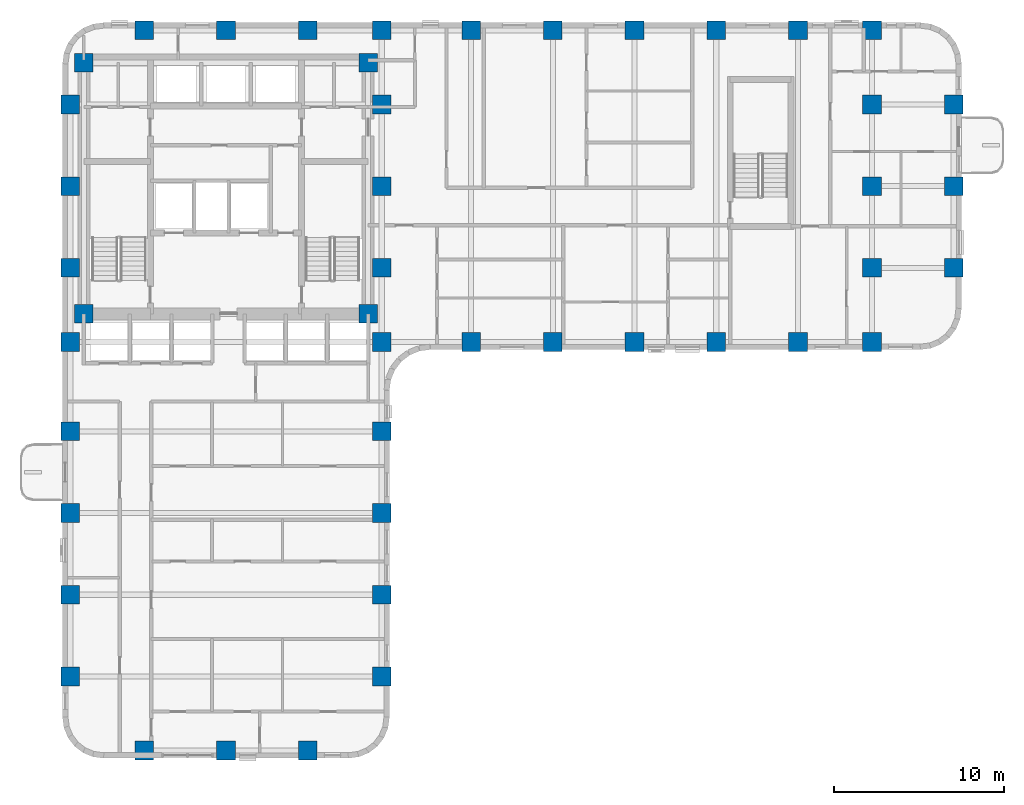
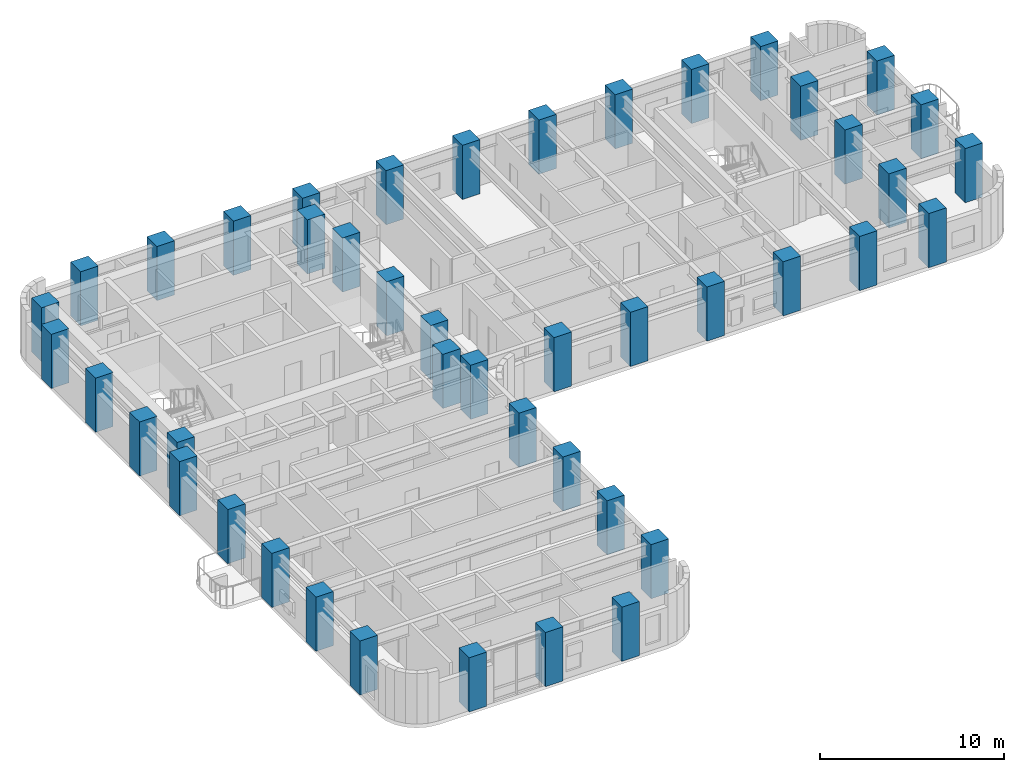
# One storey, part 1 of 12: 45 columns.
"""IFC4 building model written with IfcOpenShell, lengths in metres."""

from ifc_helpers import new_model, si_unit, direction, frame, origin, origin_2d, place, context, subcontext, project, spatial, rectangle, extrude, material, material_profile, profile_set, type_object, element, save


model = new_model("IFC4")

# Units and contexts
model_context = context("Model", 3, precision=1e-05, world=origin(), true_north=direction((0.0, 1.0)))
body_context = subcontext(model_context, "Body", "Model", "MODEL_VIEW")
ifc_project = project(units=[si_unit("LENGTHUNIT", "METRE"), si_unit("AREAUNIT", "SQUARE_METRE"), si_unit("VOLUMEUNIT", "CUBIC_METRE"), si_unit("PLANEANGLEUNIT", "RADIAN"), si_unit("MASSUNIT", "GRAM", prefix="KILO")], contexts=[model_context])

# Site, building, storey
site_placement = place(None, origin())
site = spatial("IfcSite", under=ifc_project, at=site_placement, CompositionType="ELEMENT")
building_placement = place(site_placement, origin())
building = spatial("IfcBuilding", under=site, at=building_placement, Name="Orvandelia Arch Residences", CompositionType="ELEMENT")
storey_placement = place(building_placement, frame((0.0, 0.0, 71.800048828125)))
storey = spatial("IfcBuildingStorey", under=building, at=storey_placement, Name="L18", CompositionType="ELEMENT", Elevation=71.800048828125)

# Columns
ifc_material = material(Name="Concrete C80/95", Category="concrete")
ifc_material_profile = material_profile(ifc_material, rectangle(XDim=1.10009765625, YDim=1.10009765625, at=origin_2d()), Name="Concrete C80/95", Category="concrete")
ifc_profile_set = profile_set([ifc_material_profile], Name="Concrete C80/95")
column_type = type_object("IfcColumnType", Name="COL-TWR-1100", PredefinedType="COLUMN", material=ifc_profile_set)
for number, where, z_axis, x_axis, name in (
    (1, (5.25, 9.60009765625, 0.0), (0.0, 0.0, 1.0), (1.0, 0.0, 0.0), "Structural Column L18-W-W-96"),
    (2, (5.25, 14.39990234375, 0.0), (0.0, 0.0, 1.0), (1.0, 0.0, 0.0), "Structural Column L18-W-W-144"),
    (3, (5.25, 19.199951171875, 0.0), (0.0, 0.0, 1.0), (1.0, 0.0, 0.0), "Structural Column L18-W-W-192"),
    (4, (5.25, 24.0, 0.0), (0.0, 0.0, 1.0), (1.0, 0.0, 0.0), "Structural Column L18-W-W-240"),
    (5, (5.25, 29.25, 0.0), (0.0, 0.0, 1.0), (1.0, 0.0, 0.0), "Structural Column L18-W-W-292"),
    (6, (5.25, 33.60009765625, 0.0), (0.0, 0.0, 1.0), (1.0, 0.0, 0.0), "Structural Column L18-W-W-336"),
    (7, (5.25, 38.39990234375, 0.0), (0.0, 0.0, 1.0), (1.0, 0.0, 0.0), "Structural Column L18-W-W-384"),
    (8, (5.25, 43.199951171875, 0.0), (0.0, 0.0, 1.0), (1.0, 0.0, 0.0), "Structural Column L18-W-W-432"),
    (9, (6.050048828125, 30.89990234375, 0.0), (0.0, 0.0, 1.0), (1.0, 0.0, 0.0), "Structural Column L18-CR-SW"),
    (10, (6.050048828125, 45.64990234375, 0.0), (0.0, 0.0, 1.0), (1.0, 0.0, 0.0), "Structural Column L18-CR-NW"),
    (11, (9.60009765625, 5.25, 0.0), (0.0, 0.0, 1.0), (1.0, 0.0, 0.0), "Structural Column L18-W-S-96"),
    (12, (9.60009765625, 47.550048828125, 0.0), (0.0, 0.0, 1.0), (1.0, 0.0, 0.0), "Structural Column L18-W-N-96"),
    (13, (14.39990234375, 5.25, 0.0), (0.0, 0.0, 1.0), (1.0, 0.0, 0.0), "Structural Column L18-W-S-144"),
    (14, (14.39990234375, 47.550048828125, 0.0), (0.0, 0.0, 1.0), (1.0, 0.0, 0.0), "Structural Column L18-W-N-144"),
    (15, (19.199951171875, 5.25, 0.0), (0.0, 0.0, 1.0), (1.0, 0.0, 0.0), "Structural Column L18-W-S-192"),
    (16, (19.199951171875, 47.550048828125, 0.0), (0.0, 0.0, 1.0), (1.0, 0.0, 0.0), "Structural Column L18-W-N-192"),
    (17, (22.75, 30.89990234375, 0.0), (0.0, 0.0, 1.0), (1.0, 0.0, 0.0), "Structural Column L18-CR-SE"),
    (18, (22.75, 45.64990234375, 0.0), (0.0, 0.0, 1.0), (1.0, 0.0, 0.0), "Structural Column L18-CR-NE"),
    (19, (23.550048828125, 9.60009765625, 0.0), (0.0, 0.0, 1.0), (1.0, 0.0, 0.0), "Structural Column L18-W-E-96"),
    (20, (23.550048828125, 14.39990234375, 0.0), (0.0, 0.0, 1.0), (1.0, 0.0, 0.0), "Structural Column L18-W-E-144"),
    (21, (23.550048828125, 19.199951171875, 0.0), (0.0, 0.0, 1.0), (1.0, 0.0, 0.0), "Structural Column L18-W-E-192"),
    (22, (23.550048828125, 24.0, 0.0), (0.0, 0.0, 1.0), (1.0, 0.0, 0.0), "Structural Column L18-W-E-240"),
    (23, (23.550048828125, 29.25, 0.0), (0.0, 0.0, 1.0), (1.0, 0.0, 0.0), "Structural Column L18-W-E-292"),
    (24, (23.550048828125, 33.60009765625, 0.0), (0.0, 0.0, 1.0), (1.0, 0.0, 0.0), "Structural Column L18-W-E-336"),
    (25, (23.550048828125, 38.39990234375, 0.0), (0.0, 0.0, 1.0), (1.0, 0.0, 0.0), "Structural Column L18-W-E-384"),
    (26, (23.550048828125, 43.199951171875, 0.0), (0.0, 0.0, 1.0), (1.0, 0.0, 0.0), "Structural Column L18-W-E-432"),
    (27, (23.550048828125, 47.550048828125, 0.0), (0.0, 0.0, 1.0), (1.0, 0.0, 0.0), "Structural Column L18-W-N-235"),
    (28, (28.800048828125, 29.25, 0.0), (0.0, 0.0, 1.0), (1.0, 0.0, 0.0), "Structural Column L18-E-S-288"),
    (29, (28.800048828125, 47.550048828125, 0.0), (0.0, 0.0, 1.0), (1.0, 0.0, 0.0), "Structural Column L18-E-N-288"),
    (30, (33.60009765625, 29.25, 0.0), (0.0, 0.0, 1.0), (1.0, 0.0, 0.0), "Structural Column L18-E-S-336"),
    (31, (33.60009765625, 47.550048828125, 0.0), (0.0, 0.0, 1.0), (1.0, 0.0, 0.0), "Structural Column L18-E-N-336"),
    (32, (38.39990234375, 29.25, 0.0), (0.0, 0.0, 1.0), (1.0, 0.0, 0.0), "Structural Column L18-E-S-384"),
    (33, (38.39990234375, 47.550048828125, 0.0), (0.0, 0.0, 1.0), (1.0, 0.0, 0.0), "Structural Column L18-E-N-384"),
    (34, (43.199951171875, 29.25, 0.0), (0.0, 0.0, 1.0), (1.0, 0.0, 0.0), "Structural Column L18-E-S-432"),
    (35, (43.199951171875, 47.550048828125, 0.0), (0.0, 0.0, 1.0), (1.0, 0.0, 0.0), "Structural Column L18-E-N-432"),
    (36, (48.0, 29.25, 0.0), (0.0, 0.0, 1.0), (1.0, 0.0, 0.0), "Structural Column L18-E-S-480"),
    (37, (48.0, 47.550048828125, 0.0), (0.0, 0.0, 1.0), (1.0, 0.0, 0.0), "Structural Column L18-E-N-480"),
    (38, (52.35009765625, 29.25, 0.0), (0.0, 0.0, 1.0), (1.0, 0.0, 0.0), "Structural Column L18-E-S-523"),
    (39, (52.35009765625, 33.60009765625, 0.0), (0.0, 0.0, 1.0), (1.0, 0.0, 0.0), "Structural Column L18-E-523-336"),
    (40, (52.35009765625, 38.39990234375, 0.0), (0.0, 0.0, 1.0), (1.0, 0.0, 0.0), "Structural Column L18-E-523-384"),
    (41, (52.35009765625, 43.199951171875, 0.0), (0.0, 0.0, 1.0), (1.0, 0.0, 0.0), "Structural Column L18-E-523-432"),
    (42, (52.35009765625, 47.550048828125, 0.0), (0.0, 0.0, 1.0), (1.0, 0.0, 0.0), "Structural Column L18-E-N-523"),
    (43, (57.14990234375, 33.60009765625, 0.0), (0.0, 0.0, 1.0), (1.0, 0.0, 0.0), "Structural Column L18-E-571-336"),
    (44, (57.14990234375, 38.39990234375, 0.0), (0.0, 0.0, 1.0), (1.0, 0.0, 0.0), "Structural Column L18-E-571-384"),
    (45, (57.14990234375, 43.199951171875, 0.0), (0.0, 0.0, 1.0), (1.0, 0.0, 0.0), "Structural Column L18-E-571-432"),
):
    element("IfcColumn", number, at=place(storey_placement, frame(where, z_axis=z_axis, x_axis=x_axis)), inside=storey, type_object=column_type, Name=name, PredefinedType="COLUMN", context=body_context, shape_type="SweptSolid", body=[
        extrude(rectangle(XDim=1.10009765625, YDim=1.10009765625, at=origin_2d()), origin(), (0.0, 0.0, 1.0), 3.599853515625),
    ])

save(model, "model.ifc")
